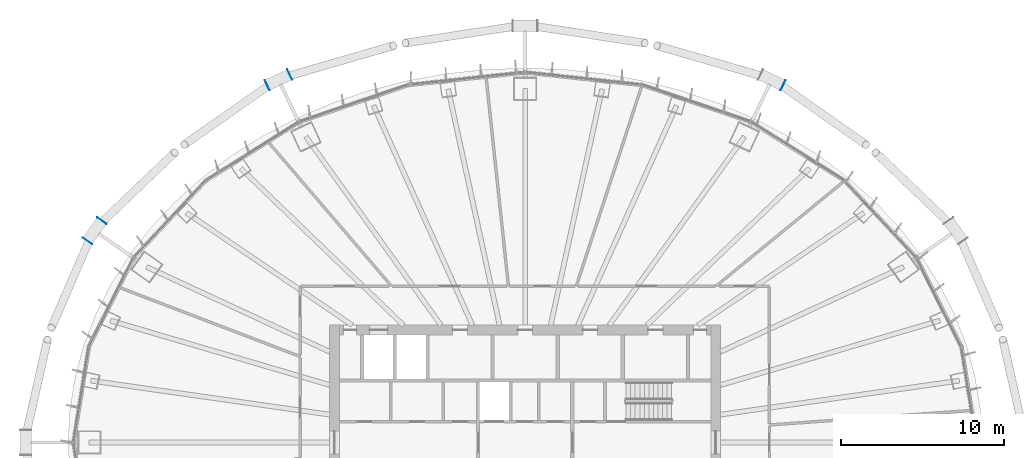
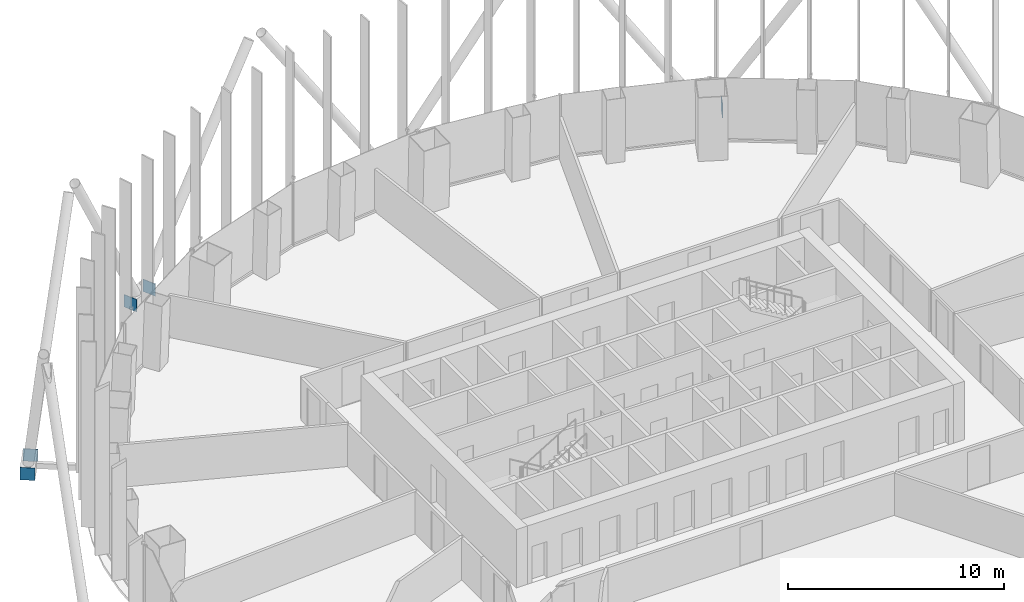
# One storey, part 13 of 22: 5 discrete accessories.
"""IFC4 building model written with IfcOpenShell, lengths in metres."""

from ifc_helpers import new_model, si_unit, direction, frame, origin, origin_2d, place, context, subcontext, project, spatial, rectangle, extrude, material, layer, layer_set, type_object, element, save


model = new_model("IFC4")

# Units and contexts
model_context = context("Model", 3, precision=1e-05, world=origin(), true_north=direction((0.0, 1.0)))
body_context = subcontext(model_context, "Body", "Model", "MODEL_VIEW")
ifc_project = project(units=[si_unit("LENGTHUNIT", "METRE"), si_unit("AREAUNIT", "SQUARE_METRE"), si_unit("VOLUMEUNIT", "CUBIC_METRE"), si_unit("PLANEANGLEUNIT", "RADIAN"), si_unit("MASSUNIT", "GRAM", prefix="KILO")], contexts=[model_context])

# Site, building, storey
site_placement = place(None, origin())
site = spatial("IfcSite", under=ifc_project, at=site_placement, CompositionType="ELEMENT")
building_placement = place(site_placement, origin())
building = spatial("IfcBuilding", under=site, at=building_placement, Name="Siaravel Broadcast Tower", CompositionType="ELEMENT")
storey_placement = place(building_placement, frame((0.0, 0.0, 48.199951171875)))
storey = spatial("IfcBuildingStorey", under=building, at=storey_placement, Name="L10", CompositionType="ELEMENT", Elevation=48.199951171875)

# Discrete accessories
ifc_material = material(Name="Steel S355", Category="steel")
ifc_layer = layer(ifc_material, 0.02001953125)
ifc_layer_set = layer_set([ifc_layer], Name="Steel S355")
discrete_accessory_type = type_object("IfcDiscreteAccessoryType", Name="Steel end plate 20 mm", PredefinedType="USERDEFINED", material=ifc_layer_set)
for number, where, z_axis, x_axis, name in (
    (1, (15.834716796875, 21.933349609375, -0.5498046875), (0.0, 0.0, 1.0), (-0.904006456, 0.427518805, 0.0), "End plate R05 station 12B"),
    (2, (-15.834716796875, 21.933349609375, -0.5498046875), (0.0, 0.0, 1.0), (-0.904006456, -0.427518805, 0.0), "End plate R05 station 24A"),
    (3, (-14.45458984375, 22.586181640625, -0.5498046875), (0.0, 0.0, 1.0), (-0.904006456, -0.427518805, 0.0), "End plate R05 station 24B"),
    (4, (-26.870849609375, 12.36865234375, -0.5498046875), (0.0, 0.0, 1.0), (-0.576118513, -0.817366172, 0.0), "End plate R05 station 30A"),
    (5, (-25.9912109375, 13.61669921875, -0.5498046875), (0.0, 0.0, 1.0), (-0.576118513, -0.817366172, 0.0), "End plate R05 station 30B"),
):
    element("IfcDiscreteAccessory", number, at=place(storey_placement, frame(where, z_axis=z_axis, x_axis=x_axis)), inside=storey, type_object=discrete_accessory_type, Name=name, ObjectType="END PLATE", PredefinedType="USERDEFINED", context=body_context, shape_type="SweptSolid", body=[
        extrude(rectangle(XDim=0.02001953125, YDim=0.699951171875, at=origin_2d()), origin(), (0.0, 0.0, 1.0), 0.699951171875),
    ])

save(model, "model.ifc")
